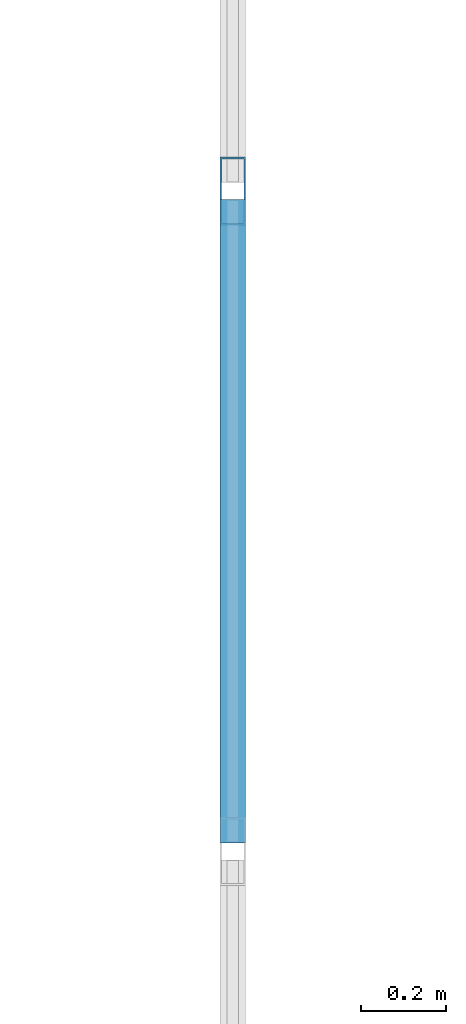
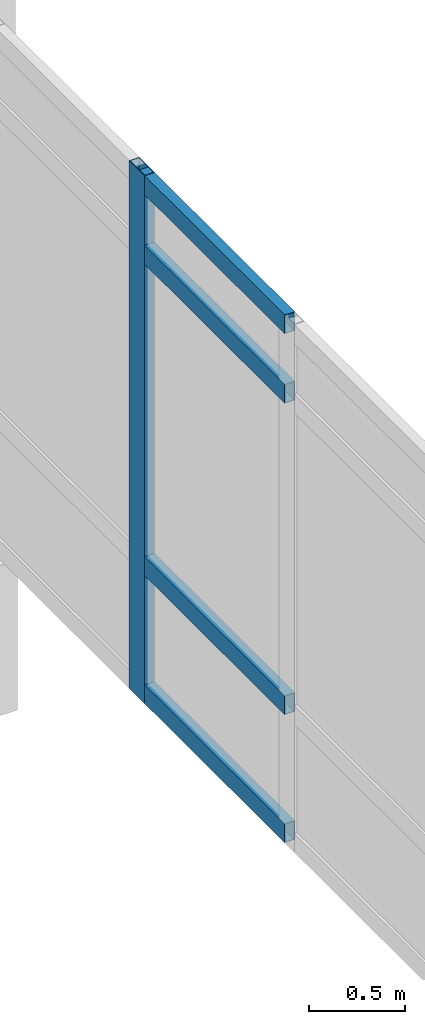
# One storey, part 42 of 111: 5 members, 1 element without a shape of its own.
"""IFC4 building model written with IfcOpenShell, lengths in metres."""

from ifc_helpers import new_model, si_unit, direction, frame, origin, origin_2d, place, context, subcontext, project, spatial, hollow_rectangle, extrude, material, layer, layer_set, material_profile, profile_set, type_object, element, aggregate, save


model = new_model("IFC4")

# Units and contexts
model_context = context("Model", 3, precision=1e-05, world=origin(), true_north=direction((0.0, 1.0)))
body_context = subcontext(model_context, "Body", "Model", "MODEL_VIEW")
ifc_project = project(units=[si_unit("LENGTHUNIT", "METRE"), si_unit("AREAUNIT", "SQUARE_METRE"), si_unit("VOLUMEUNIT", "CUBIC_METRE"), si_unit("PLANEANGLEUNIT", "RADIAN"), si_unit("MASSUNIT", "GRAM", prefix="KILO")], contexts=[model_context])

# Site, building, storey
site_placement = place(None, origin())
site = spatial("IfcSite", under=ifc_project, at=site_placement, CompositionType="ELEMENT")
building_placement = place(site_placement, origin())
building = spatial("IfcBuilding", under=site, at=building_placement, Name="Mersad Railyard Sports Hall", CompositionType="ELEMENT")
storey_placement = place(building_placement, frame((0.0, 0.0, 9.0)))
storey = spatial("IfcBuildingStorey", under=building, at=storey_placement, Name="L02", CompositionType="ELEMENT", Elevation=9.0)

# Curtain wall, members
ifc_material = material(Name="Aluminium 6063-T6", Category="aluminium")
ifc_layer = layer(ifc_material, 0.159912109375)
ifc_layer_set = layer_set([ifc_layer], Name="Aluminium 6063-T6")
curtain_wall_type = type_object("IfcCurtainWallType", Name="ARC-CW-CW20", PredefinedType="USERDEFINED", material=ifc_layer_set)
curtain_wall_placement = place(storey_placement, origin())
curtain_wall = element("IfcCurtainWall", 1, at=curtain_wall_placement, inside=storey, type_object=curtain_wall_type, Name="Curtain wall CW20-0079", ObjectType="CURTAIN WALL", PredefinedType="USERDEFINED")
ifc_material_profile_1 = material_profile(ifc_material, hollow_rectangle(XDim=0.06005859375, YDim=0.159912109375, WallThickness=0.00390625, at=origin_2d()), Name="AL MULLION 60x160x4")
ifc_profile_set_1 = profile_set([ifc_material_profile_1], Name="Aluminium 6063-T6")
member_type_1 = type_object("IfcMemberType", Name="ARC-CW-MUL01", PredefinedType="MULLION", material=ifc_profile_set_1)
member_1_placement = place(storey_placement, frame((131.0, 83.278564453125, -0.02001953125), z_axis=(0.0, 0.0, 1.0), x_axis=(1.0, 0.0, 0.0)))
member_1 = element("IfcMember", 2, at=member_1_placement, type_object=member_type_1, Name="CW20 Mullion 7", PredefinedType="MULLION", context=body_context, shape_type="SweptSolid", body=[
    extrude(hollow_rectangle(XDim=0.06005859375, YDim=0.159912109375, WallThickness=0.00390625, at=origin_2d()), origin(), (0.0, 0.0, 1.0), 3.340087890625),
])
ifc_material_profile_2 = material_profile(ifc_material, hollow_rectangle(XDim=0.06005859375, YDim=0.1201171875, WallThickness=0.00390625, at=origin_2d()), Name="AL TRANSOM 60x120x4")
ifc_profile_set_2 = profile_set([ifc_material_profile_2], Name="Aluminium 6063-T6")
member_type_2 = type_object("IfcMemberType", Name="ARC-CW-TRN01", PredefinedType="USERDEFINED", material=ifc_profile_set_2)
member_2_placement = place(storey_placement, frame((131.0, 81.7470703125, 0.0400390625), z_axis=(0.0, 1.0, 0.0), x_axis=(-1.0, 0.0, 0.0)))
member_2 = element("IfcMember", 3, at=member_2_placement, type_object=member_type_2, Name="CW20 Transom 1-6", ObjectType="TRANSOM", PredefinedType="USERDEFINED", context=body_context, shape_type="SweptSolid", body=[
    extrude(hollow_rectangle(XDim=0.06005859375, YDim=0.1201171875, WallThickness=0.00390625, at=origin_2d()), origin(), (0.0, 0.0, 1.0), 1.511474609375),
])
member_3_placement = place(storey_placement, frame((131.0, 81.7470703125, 0.85009765625), z_axis=(0.0, 1.0, 0.0), x_axis=(-1.0, 0.0, 0.0)))
member_3 = element("IfcMember", 4, at=member_3_placement, type_object=member_type_2, Name="CW20 Transom 2-6", ObjectType="TRANSOM", PredefinedType="USERDEFINED", context=body_context, shape_type="SweptSolid", body=[
    extrude(hollow_rectangle(XDim=0.06005859375, YDim=0.1201171875, WallThickness=0.00390625, at=origin_2d()), origin(), (0.0, 0.0, 1.0), 1.511474609375),
])
member_4_placement = place(storey_placement, frame((131.0, 81.7470703125, 2.820068359375), z_axis=(0.0, 1.0, 0.0), x_axis=(-1.0, 0.0, 0.0)))
member_4 = element("IfcMember", 5, at=member_4_placement, type_object=member_type_2, Name="CW20 Transom 3-6", ObjectType="TRANSOM", PredefinedType="USERDEFINED", context=body_context, shape_type="SweptSolid", body=[
    extrude(hollow_rectangle(XDim=0.06005859375, YDim=0.1201171875, WallThickness=0.00390625, at=origin_2d()), origin(), (0.0, 0.0, 1.0), 1.511474609375),
])
member_5_placement = place(storey_placement, frame((131.0, 81.7470703125, 3.260009765625), z_axis=(0.0, 1.0, 0.0), x_axis=(-1.0, 0.0, 0.0)))
member_5 = element("IfcMember", 6, at=member_5_placement, type_object=member_type_2, Name="CW20 Transom 4-6", ObjectType="TRANSOM", PredefinedType="USERDEFINED", context=body_context, shape_type="SweptSolid", body=[
    extrude(hollow_rectangle(XDim=0.06005859375, YDim=0.1201171875, WallThickness=0.00390625, at=origin_2d()), origin(), (0.0, 0.0, 1.0), 1.511474609375),
])
aggregate(curtain_wall, [member_1, member_2, member_3, member_4, member_5])

save(model, "model.ifc")
